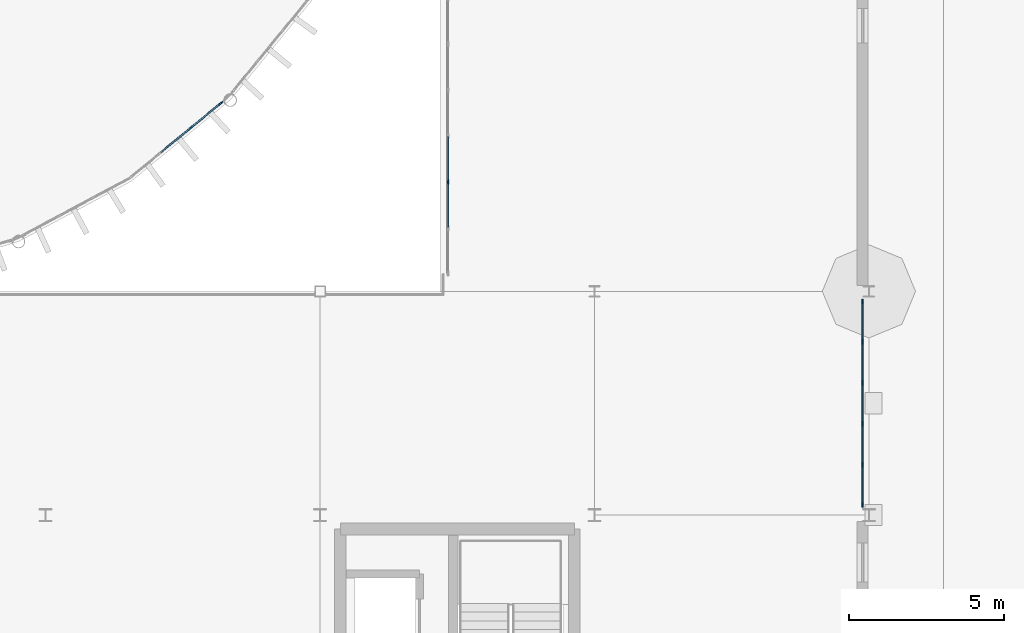
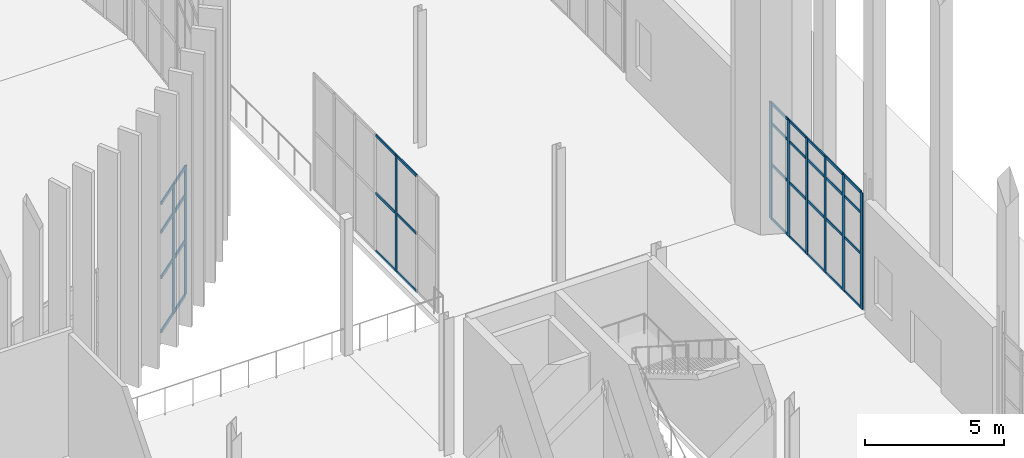
# One storey, part 55 of 139: 43 members, 3 elements without a shape of their own.
"""IFC4 building model written with IfcOpenShell, lengths in metres."""

import ifcopenshell
import ifcopenshell.guid

model = None  # the IFC model being written
_history = None  # IfcOwnerHistory: only IFC2X3 demands one
_inside = {}  # id of a spatial element -> (the spatial element, [elements in it])
_under = {}  # id of a project, library or spatial element -> (it, [spatial elements below it])
_declared = {}  # id of a project -> (the project, [libraries it declares])
_typed = {}  # id of a type object -> (the type object, [elements of that type])
_made_of = {}  # id of a material, layer set ... -> (it, [elements and type objects made of it])


def new_model(schema):
    """Start an empty IFC model of exactly this schema.

    Asked for "IFC4X3", IfcOpenShell would pick the latest addendum, in which some entities
    have other attributes; the version numbers below select the first issue.
    IFC2X3 requires an IfcOwnerHistory on every rooted entity: one is made here for all.
    """
    global model, _history
    if schema == "IFC4X3":
        model = ifcopenshell.file(schema_version=(4, 3, 0, 0))
    else:
        model = ifcopenshell.file(schema=schema)
    _inside.clear()
    _under.clear()
    _declared.clear()
    _typed.clear()
    _made_of.clear()
    _history = None
    if model.schema == "IFC2X3":
        org = make("IfcOrganization", Name="unknown")
        user = make(
            "IfcPersonAndOrganization",
            ThePerson=make("IfcPerson", FamilyName="unknown"),
            TheOrganization=org,
        )
        app = make(
            "IfcApplication",
            ApplicationDeveloper=org,
            Version="unknown",
            ApplicationFullName="unknown",
            ApplicationIdentifier="unknown",
        )
        _history = make(
            "IfcOwnerHistory",
            OwningUser=user,
            OwningApplication=app,
            ChangeAction="ADDED",
            CreationDate=0,
        )
    return model


def make(cls, **values):
    """One entity of the class cls with the attributes given. An attribute that is None is left unset."""
    return model.create_entity(
        cls, **{name: value for name, value in values.items() if value is not None}
    )


def rooted(cls, **values):
    """An entity with a GlobalId (a new one), such as an element, a storey or a relation."""
    return make(cls, GlobalId=ifcopenshell.guid.new(), OwnerHistory=_history, **values)


def si_unit(unit_type, name, prefix=None):
    """IfcSIUnit, for example si_unit("LENGTHUNIT", "METRE", prefix="MILLI")."""
    return make("IfcSIUnit", UnitType=unit_type, Prefix=prefix, Name=name)


def assignment(units):
    """IfcUnitAssignment: the units of a project."""
    return None if units is None else make("IfcUnitAssignment", Units=units)


def point(xyz):
    """IfcCartesianPoint."""
    return None if xyz is None else make("IfcCartesianPoint", Coordinates=xyz)


def direction(xyz):
    """IfcDirection."""
    return None if xyz is None else make("IfcDirection", DirectionRatios=xyz)


def frame(location, z_axis=None, x_axis=None):
    """IfcAxis2Placement3D, a coordinate frame: its origin and axes. An axis left out is left unset."""
    return make(
        "IfcAxis2Placement3D",
        Location=point(location),
        Axis=direction(z_axis),
        RefDirection=direction(x_axis),
    )


def frame_2d(location, x_axis=None):
    """IfcAxis2Placement2D, a coordinate frame in the plane: its origin and x axis."""
    return make(
        "IfcAxis2Placement2D", Location=point(location), RefDirection=direction(x_axis)
    )


def origin():
    """The frame at (0, 0, 0) with its axes left unset."""
    return frame((0.0, 0.0, 0.0))


def origin_2d():
    """The frame at (0, 0) in the plane with its x axis left unset."""
    return frame_2d((0.0, 0.0))


def place(relative_to, where):
    """IfcLocalPlacement: puts the frame where relative to a parent placement (None: the world)."""
    return make(
        "IfcLocalPlacement", PlacementRelTo=relative_to, RelativePlacement=where
    )


def context(
    kind, dimensions, precision=None, world=None, true_north=None, identifier=None
):
    """IfcGeometricRepresentationContext, for example the 3D "Model" context."""
    return make(
        "IfcGeometricRepresentationContext",
        ContextIdentifier=identifier,
        ContextType=kind,
        CoordinateSpaceDimension=dimensions,
        Precision=precision,
        WorldCoordinateSystem=world,
        TrueNorth=true_north,
    )


def subcontext(parent, identifier, kind, view, scale=None):
    """IfcGeometricRepresentationSubContext, for example "Body" below "Model"."""
    return make(
        "IfcGeometricRepresentationSubContext",
        ContextIdentifier=identifier,
        ContextType=kind,
        ParentContext=parent,
        TargetScale=scale,
        TargetView=view,
    )


def project(units=None, contexts=None):
    """IfcProject with its units and contexts."""
    return rooted(
        "IfcProject",
        Name="project",
        RepresentationContexts=contexts,
        UnitsInContext=assignment(units),
    )


def spatial(cls, under=None, at=None, **own):
    """A site, building, storey or space (cls), placed at a placement, below another one or the project."""
    s = rooted(cls, ObjectPlacement=at, **own)
    if under is not None:
        _under.setdefault(under.id(), (under, []))[1].append(s)
    return s


def profile(cls, at=None, kind="AREA", **sizes):
    """A parametric profile (cls). Its sizes go by their IFC names, for example OverallWidth=200.0."""
    return make(cls, ProfileType=kind, Position=at, **sizes)


def rectangle(**sizes):
    """IfcRectangleProfileDef."""
    return profile("IfcRectangleProfileDef", **sizes)


def extrude(swept, where, along, depth):
    """IfcExtrudedAreaSolid: the profile swept, set in the frame where, extruded along a direction by depth."""
    return make(
        "IfcExtrudedAreaSolid",
        SweptArea=swept,
        Position=where,
        ExtrudedDirection=direction(along),
        Depth=depth,
    )


def shape(context_of_items, identifier, shape_type, items):
    """IfcShapeRepresentation: the items that make up one representation, for example the "Body"."""
    return make(
        "IfcShapeRepresentation",
        ContextOfItems=context_of_items,
        RepresentationIdentifier=identifier,
        RepresentationType=shape_type,
        Items=items,
    )


def material(Name=None, Category=None):
    """IfcMaterial."""
    return make("IfcMaterial", Name=Name, Category=Category)


def layer(
    of_material, thickness, ventilated=None, Name=None, Category=None, Priority=None
):
    """IfcMaterialLayer: one layer of a wall or slab, of a material (None: an air gap)."""
    return make(
        "IfcMaterialLayer",
        Material=of_material,
        LayerThickness=thickness,
        IsVentilated=ventilated,
        Name=Name,
        Category=Category,
        Priority=Priority,
    )


def layer_set(layers, Name=None):
    """IfcMaterialLayerSet."""
    return make("IfcMaterialLayerSet", MaterialLayers=layers, LayerSetName=Name)


def material_profile(
    of_material, cross_section, Name=None, Category=None, Priority=None
):
    """IfcMaterialProfile: a cross section and its material."""
    return make(
        "IfcMaterialProfile",
        Name=Name,
        Material=of_material,
        Profile=cross_section,
        Priority=Priority,
        Category=Category,
    )


def profile_set(profiles, Name=None, composite=None):
    """IfcMaterialProfileSet."""
    return make(
        "IfcMaterialProfileSet",
        Name=Name,
        MaterialProfiles=profiles,
        CompositeProfile=composite,
    )


def made_of(thing, what):
    """Note that an element or type object is made of a material, layer set ...; save() writes the relation."""
    if what is not None:
        _made_of.setdefault(what.id(), (what, []))[1].append(thing)
    return thing


def type_object(cls, material=None, **own):
    """A type object (cls), such as IfcWallType, which elements share."""
    return made_of(rooted(cls, **own), material)


def element(
    cls,
    number,
    at=None,
    inside=None,
    cuts=None,
    type_object=None,
    material=None,
    context=None,
    identifier="Body",
    shape_type=None,
    held_by="IfcProductDefinitionShape",
    body=None,
    shapes=None,
    **own,
):
    """One element of the class cls, such as IfcWall. Its Tag is "e" and its number.

    at: its placement. inside: the storey or other place that contains it. cuts: it is an
    opening in that element (IfcRelVoidsElement). A single representation is given by context,
    identifier, shape_type and body (its items); several are given by shapes. held_by: the class
    of the entity that holds the representations. save() writes the other relations.
    """
    e = rooted(cls, Tag="e%d" % number, ObjectPlacement=at, **own)
    if body is not None:
        shapes = [shape(context, identifier, shape_type, body)]
    if shapes is not None:
        e.Representation = make(held_by, Representations=shapes)
    if inside is not None:
        _inside.setdefault(inside.id(), (inside, []))[1].append(e)
    if cuts is not None:
        rooted(
            "IfcRelVoidsElement", RelatingBuildingElement=cuts, RelatedOpeningElement=e
        )
    if type_object is not None:
        _typed.setdefault(type_object.id(), (type_object, []))[1].append(e)
    return made_of(e, material)


def aggregate(whole, parts):
    """IfcRelAggregates: a whole, such as a stair, and the parts it consists of."""
    return rooted("IfcRelAggregates", RelatingObject=whole, RelatedObjects=parts)


def save(model, path):
    """Write the relations noted so far, then the file.

    IfcRelAggregates (storeys below a building ...), IfcRelContainedInSpatialStructure (elements
    in a storey), IfcRelDefinesByType, IfcRelAssociatesMaterial and IfcRelDeclares: one each for
    every whole, place, type object, material and project.
    """
    for whole, parts in _under.values():
        aggregate(whole, parts)
    for where, things in _inside.values():
        rooted(
            "IfcRelContainedInSpatialStructure",
            RelatedElements=things,
            RelatingStructure=where,
        )
    for kind, things in _typed.values():
        rooted("IfcRelDefinesByType", RelatedObjects=things, RelatingType=kind)
    for what, things in _made_of.values():
        rooted("IfcRelAssociatesMaterial", RelatedObjects=things, RelatingMaterial=what)
    for by, libraries in _declared.values():
        rooted("IfcRelDeclares", RelatingContext=by, RelatedDefinitions=libraries)
    model.write(path)


model = new_model("IFC4")

# Units and contexts
model_context = context("Model", 3, precision=1e-05, world=origin(), true_north=direction((0.0, 1.0)))
body_context = subcontext(model_context, "Body", "Model", "MODEL_VIEW")
ifc_project = project(units=[si_unit("LENGTHUNIT", "METRE"), si_unit("AREAUNIT", "SQUARE_METRE"), si_unit("VOLUMEUNIT", "CUBIC_METRE"), si_unit("PLANEANGLEUNIT", "RADIAN"), si_unit("MASSUNIT", "GRAM", prefix="KILO")], contexts=[model_context])

# Site, building, storey
site_placement = place(None, origin())
site = spatial("IfcSite", under=ifc_project, at=site_placement, CompositionType="ELEMENT")
building_placement = place(site_placement, origin())
building = spatial("IfcBuilding", under=site, at=building_placement, Name="Yeouljin Market Hall", CompositionType="ELEMENT")
storey_placement = place(building_placement, origin())
storey = spatial("IfcBuildingStorey", under=building, at=storey_placement, Name="L00", CompositionType="ELEMENT", Elevation=0.0)

# Curtain wall, members
ifc_material_1 = material(Name="Thermally Broken Aluminium", Category="aluminium")
ifc_layer_1 = layer(ifc_material_1, 0.14990234375)
ifc_layer_set_1 = layer_set([ifc_layer_1], Name="Thermally Broken Aluminium")
curtain_wall_type_1 = type_object("IfcCurtainWallType", Name="CW_WingStorefront_System", PredefinedType="USERDEFINED", material=ifc_layer_set_1)
curtain_wall_1_placement = place(storey_placement, origin())
curtain_wall_1 = element("IfcCurtainWall", 1, at=curtain_wall_1_placement, inside=storey, type_object=curtain_wall_type_1, Name="Curtain wall CW-V3E-L00-6", ObjectType="CURTAIN WALL", PredefinedType="USERDEFINED")
ifc_material_2 = material(Name="Thermally Broken Aluminium", Category="aluminium")
ifc_material_profile_1 = material_profile(ifc_material_2, rectangle(XDim=0.048095703125, YDim=0.14990234375, at=origin_2d()), Name="CW-MULL-48x150")
ifc_profile_set_1 = profile_set([ifc_material_profile_1], Name="Thermally Broken Aluminium")
member_type_1 = type_object("IfcMemberType", Name="CWMullion_48x150", PredefinedType="MULLION", material=ifc_profile_set_1)
member_1_placement = place(storey_placement, frame((176.199951171875, 35.676025390625, 0.0), z_axis=(0.0, 0.0, 1.0), x_axis=(1.0, 0.0, 0.0)))
member_1 = element("IfcMember", 2, at=member_1_placement, type_object=member_type_1, Name="CW-04 mullion 1", PredefinedType="MULLION", context=body_context, shape_type="SweptSolid", body=[
    extrude(rectangle(XDim=0.048095703125, YDim=0.14990234375, at=origin_2d()), origin(), (0.0, 0.0, 1.0), 5.1201171875),
])
member_2_placement = place(storey_placement, frame((176.199951171875, 34.3798828125, 0.0), z_axis=(0.0, 0.0, 1.0), x_axis=(1.0, 0.0, 0.0)))
member_2 = element("IfcMember", 3, at=member_2_placement, type_object=member_type_1, Name="CW-04 mullion 2", PredefinedType="MULLION", context=body_context, shape_type="SweptSolid", body=[
    extrude(rectangle(XDim=0.048095703125, YDim=0.14990234375, at=origin_2d()), origin(), (0.0, 0.0, 1.0), 5.1201171875),
])
member_3_placement = place(storey_placement, frame((176.199951171875, 33.06005859375, 0.0), z_axis=(0.0, 0.0, 1.0), x_axis=(1.0, 0.0, 0.0)))
member_3 = element("IfcMember", 4, at=member_3_placement, type_object=member_type_1, Name="CW-04 mullion 3", PredefinedType="MULLION", context=body_context, shape_type="SweptSolid", body=[
    extrude(rectangle(XDim=0.048095703125, YDim=0.14990234375, at=origin_2d()), origin(), (0.0, 0.0, 1.0), 5.1201171875),
])
member_4_placement = place(storey_placement, frame((176.199951171875, 31.739990234375, 0.0), z_axis=(0.0, 0.0, 1.0), x_axis=(1.0, 0.0, 0.0)))
member_4 = element("IfcMember", 5, at=member_4_placement, type_object=member_type_1, Name="CW-04 mullion 4", PredefinedType="MULLION", context=body_context, shape_type="SweptSolid", body=[
    extrude(rectangle(XDim=0.048095703125, YDim=0.14990234375, at=origin_2d()), origin(), (0.0, 0.0, 1.0), 5.1201171875),
])
member_5_placement = place(storey_placement, frame((176.199951171875, 30.419921875, 0.0), z_axis=(0.0, 0.0, 1.0), x_axis=(1.0, 0.0, 0.0)))
member_5 = element("IfcMember", 6, at=member_5_placement, type_object=member_type_1, Name="CW-04 mullion 5", PredefinedType="MULLION", context=body_context, shape_type="SweptSolid", body=[
    extrude(rectangle(XDim=0.048095703125, YDim=0.14990234375, at=origin_2d()), origin(), (0.0, 0.0, 1.0), 5.1201171875),
])
member_6_placement = place(storey_placement, frame((176.199951171875, 29.1240234375, 0.0), z_axis=(0.0, 0.0, 1.0), x_axis=(1.0, 0.0, 0.0)))
member_6 = element("IfcMember", 7, at=member_6_placement, type_object=member_type_1, Name="CW-04 mullion 6", PredefinedType="MULLION", context=body_context, shape_type="SweptSolid", body=[
    extrude(rectangle(XDim=0.048095703125, YDim=0.14990234375, at=origin_2d()), origin(), (0.0, 0.0, 1.0), 5.1201171875),
])

# Curtain wall, member
curtain_wall_2_placement = place(storey_placement, origin())
curtain_wall_2 = element("IfcCurtainWall", 8, at=curtain_wall_2_placement, inside=storey, type_object=curtain_wall_type_1, Name="Curtain wall CW-CRT-L00-13", ObjectType="CURTAIN WALL", PredefinedType="USERDEFINED")
member_7_placement = place(storey_placement, frame((162.85009765625, 39.5166015625, 0.0), z_axis=(0.0, 0.0, 1.0), x_axis=(1.0, 0.0, 0.0)))
member_7 = element("IfcMember", 9, at=member_7_placement, type_object=member_type_1, Name="CW-04 mullion 5", PredefinedType="MULLION", context=body_context, shape_type="SweptSolid", body=[
    extrude(rectangle(XDim=0.048095703125, YDim=0.14990234375, at=origin_2d()), origin(), (0.0, 0.0, 1.0), 5.1201171875),
])

# Curtain wall, members
ifc_material_3 = material(Name="Thermally Broken Aluminium", Category="aluminium")
ifc_layer_2 = layer(ifc_material_3, 0.179931640625)
ifc_layer_set_2 = layer_set([ifc_layer_2], Name="Thermally Broken Aluminium")
curtain_wall_type_2 = type_object("IfcCurtainWallType", Name="CW_ApseCurved_System", PredefinedType="USERDEFINED", material=ifc_layer_set_2)
curtain_wall_3_placement = place(storey_placement, origin())
curtain_wall_3 = element("IfcCurtainWall", 10, at=curtain_wall_3_placement, inside=storey, type_object=curtain_wall_type_2, Name="Curtain wall CW-AP-EL00-04", ObjectType="CURTAIN WALL", PredefinedType="USERDEFINED")
ifc_material_4 = material(Name="Thermally Broken Aluminium", Category="aluminium")
ifc_material_profile_2 = material_profile(ifc_material_4, rectangle(XDim=0.048095703125, YDim=0.179931640625, at=origin_2d()), Name="CW-MULL-48x180")
ifc_profile_set_2 = profile_set([ifc_material_profile_2], Name="Thermally Broken Aluminium")
member_type_2 = type_object("IfcMemberType", Name="CWMullion_48x180", PredefinedType="MULLION", material=ifc_profile_set_2)
member_8_placement = place(storey_placement, frame((155.529541015625, 42.042724609375, 0.0), z_axis=(0.0, 0.0, 1.0), x_axis=(0.634384432096, -0.773017717982, 0.0)))
member_8 = element("IfcMember", 11, at=member_8_placement, type_object=member_type_2, Name="CW-03 mullion 1", PredefinedType="MULLION", context=body_context, shape_type="SweptSolid", body=[
    extrude(rectangle(XDim=0.048095703125, YDim=0.179931640625, at=origin_2d()), origin(), (0.0, 0.0, 1.0), 5.679931640625),
])
member_9_placement = place(storey_placement, frame((154.57568359375, 41.260009765625, 0.0), z_axis=(0.0, 0.0, 1.0), x_axis=(0.634384432096, -0.773017717982, 0.0)))
member_9 = element("IfcMember", 12, at=member_9_placement, type_object=member_type_2, Name="CW-03 mullion 2", PredefinedType="MULLION", context=body_context, shape_type="SweptSolid", body=[
    extrude(rectangle(XDim=0.048095703125, YDim=0.179931640625, at=origin_2d()), origin(), (0.0, 0.0, 1.0), 5.679931640625),
])

# Member
ifc_material_5 = material(Name="Thermally Broken Aluminium", Category="aluminium")
ifc_material_profile_3 = material_profile(ifc_material_5, rectangle(XDim=0.048095703125, YDim=0.1201171875, at=origin_2d()), Name="CW-TRAN-48x120")
ifc_profile_set_3 = profile_set([ifc_material_profile_3], Name="Thermally Broken Aluminium")
member_type_3 = type_object("IfcMemberType", Name="CWTransom_48x120", PredefinedType="USERDEFINED", material=ifc_profile_set_3)
member_10_placement = place(storey_placement, frame((176.199951171875, 35.652099609375, 0.02392578125), z_axis=(0.0, -1.0, 0.0), x_axis=(1.0, 0.0, 0.0)))
member_10 = element("IfcMember", 13, at=member_10_placement, type_object=member_type_3, Name="CW-04 transom 1.1", ObjectType="TRANSOM", PredefinedType="USERDEFINED", context=body_context, shape_type="SweptSolid", body=[
    extrude(rectangle(XDim=0.048095703125, YDim=0.1201171875, at=origin_2d()), origin(), (0.0, 0.0, 1.0), 1.248046875),
])

member_11_placement = place(storey_placement, frame((176.199951171875, 35.652099609375, 2.39990234375), z_axis=(0.0, -1.0, 0.0), x_axis=(1.0, 0.0, 0.0)))
member_11 = element("IfcMember", 14, at=member_11_placement, type_object=member_type_3, Name="CW-04 transom 1.2", ObjectType="TRANSOM", PredefinedType="USERDEFINED", context=body_context, shape_type="SweptSolid", body=[
    extrude(rectangle(XDim=0.048095703125, YDim=0.1201171875, at=origin_2d()), origin(), (0.0, 0.0, 1.0), 1.248046875),
])

member_12_placement = place(storey_placement, frame((176.199951171875, 35.652099609375, 4.199951171875), z_axis=(0.0, -1.0, 0.0), x_axis=(1.0, 0.0, 0.0)))
member_12 = element("IfcMember", 15, at=member_12_placement, type_object=member_type_3, Name="CW-04 transom 1.3", ObjectType="TRANSOM", PredefinedType="USERDEFINED", context=body_context, shape_type="SweptSolid", body=[
    extrude(rectangle(XDim=0.048095703125, YDim=0.1201171875, at=origin_2d()), origin(), (0.0, 0.0, 1.0), 1.248046875),
])

member_13_placement = place(storey_placement, frame((176.199951171875, 35.652099609375, 5.095947265625), z_axis=(0.0, -1.0, 0.0), x_axis=(1.0, 0.0, 0.0)))
member_13 = element("IfcMember", 16, at=member_13_placement, type_object=member_type_3, Name="CW-04 transom 1.4", ObjectType="TRANSOM", PredefinedType="USERDEFINED", context=body_context, shape_type="SweptSolid", body=[
    extrude(rectangle(XDim=0.048095703125, YDim=0.1201171875, at=origin_2d()), origin(), (0.0, 0.0, 1.0), 1.248046875),
])

member_14_placement = place(storey_placement, frame((176.199951171875, 34.35595703125, 0.02392578125), z_axis=(0.0, -1.0, 0.0), x_axis=(1.0, 0.0, 0.0)))
member_14 = element("IfcMember", 17, at=member_14_placement, type_object=member_type_3, Name="CW-04 transom 2.1", ObjectType="TRANSOM", PredefinedType="USERDEFINED", context=body_context, shape_type="SweptSolid", body=[
    extrude(rectangle(XDim=0.048095703125, YDim=0.1201171875, at=origin_2d()), origin(), (0.0, 0.0, 1.0), 1.27197265625),
])

member_15_placement = place(storey_placement, frame((176.199951171875, 34.35595703125, 2.39990234375), z_axis=(0.0, -1.0, 0.0), x_axis=(1.0, 0.0, 0.0)))
member_15 = element("IfcMember", 18, at=member_15_placement, type_object=member_type_3, Name="CW-04 transom 2.2", ObjectType="TRANSOM", PredefinedType="USERDEFINED", context=body_context, shape_type="SweptSolid", body=[
    extrude(rectangle(XDim=0.048095703125, YDim=0.1201171875, at=origin_2d()), origin(), (0.0, 0.0, 1.0), 1.27197265625),
])

member_16_placement = place(storey_placement, frame((176.199951171875, 34.35595703125, 4.199951171875), z_axis=(0.0, -1.0, 0.0), x_axis=(1.0, 0.0, 0.0)))
member_16 = element("IfcMember", 19, at=member_16_placement, type_object=member_type_3, Name="CW-04 transom 2.3", ObjectType="TRANSOM", PredefinedType="USERDEFINED", context=body_context, shape_type="SweptSolid", body=[
    extrude(rectangle(XDim=0.048095703125, YDim=0.1201171875, at=origin_2d()), origin(), (0.0, 0.0, 1.0), 1.27197265625),
])

member_17_placement = place(storey_placement, frame((176.199951171875, 34.35595703125, 5.095947265625), z_axis=(0.0, -1.0, 0.0), x_axis=(1.0, 0.0, 0.0)))
member_17 = element("IfcMember", 20, at=member_17_placement, type_object=member_type_3, Name="CW-04 transom 2.4", ObjectType="TRANSOM", PredefinedType="USERDEFINED", context=body_context, shape_type="SweptSolid", body=[
    extrude(rectangle(XDim=0.048095703125, YDim=0.1201171875, at=origin_2d()), origin(), (0.0, 0.0, 1.0), 1.27197265625),
])

member_18_placement = place(storey_placement, frame((176.199951171875, 33.035888671875, 0.02392578125), z_axis=(0.0, -1.0, 0.0), x_axis=(1.0, 0.0, 0.0)))
member_18 = element("IfcMember", 21, at=member_18_placement, type_object=member_type_3, Name="CW-04 transom 3.1", ObjectType="TRANSOM", PredefinedType="USERDEFINED", context=body_context, shape_type="SweptSolid", body=[
    extrude(rectangle(XDim=0.048095703125, YDim=0.1201171875, at=origin_2d()), origin(), (0.0, 0.0, 1.0), 1.27197265625),
])

member_19_placement = place(storey_placement, frame((176.199951171875, 33.035888671875, 2.39990234375), z_axis=(0.0, -1.0, 0.0), x_axis=(1.0, 0.0, 0.0)))
member_19 = element("IfcMember", 22, at=member_19_placement, type_object=member_type_3, Name="CW-04 transom 3.2", ObjectType="TRANSOM", PredefinedType="USERDEFINED", context=body_context, shape_type="SweptSolid", body=[
    extrude(rectangle(XDim=0.048095703125, YDim=0.1201171875, at=origin_2d()), origin(), (0.0, 0.0, 1.0), 1.27197265625),
])

member_20_placement = place(storey_placement, frame((176.199951171875, 33.035888671875, 4.199951171875), z_axis=(0.0, -1.0, 0.0), x_axis=(1.0, 0.0, 0.0)))
member_20 = element("IfcMember", 23, at=member_20_placement, type_object=member_type_3, Name="CW-04 transom 3.3", ObjectType="TRANSOM", PredefinedType="USERDEFINED", context=body_context, shape_type="SweptSolid", body=[
    extrude(rectangle(XDim=0.048095703125, YDim=0.1201171875, at=origin_2d()), origin(), (0.0, 0.0, 1.0), 1.27197265625),
])

member_21_placement = place(storey_placement, frame((176.199951171875, 33.035888671875, 5.095947265625), z_axis=(0.0, -1.0, 0.0), x_axis=(1.0, 0.0, 0.0)))
member_21 = element("IfcMember", 24, at=member_21_placement, type_object=member_type_3, Name="CW-04 transom 3.4", ObjectType="TRANSOM", PredefinedType="USERDEFINED", context=body_context, shape_type="SweptSolid", body=[
    extrude(rectangle(XDim=0.048095703125, YDim=0.1201171875, at=origin_2d()), origin(), (0.0, 0.0, 1.0), 1.27197265625),
])

member_22_placement = place(storey_placement, frame((176.199951171875, 31.716064453125, 0.02392578125), z_axis=(0.0, -1.0, 0.0), x_axis=(1.0, 0.0, 0.0)))
member_22 = element("IfcMember", 25, at=member_22_placement, type_object=member_type_3, Name="CW-04 transom 4.1", ObjectType="TRANSOM", PredefinedType="USERDEFINED", context=body_context, shape_type="SweptSolid", body=[
    extrude(rectangle(XDim=0.048095703125, YDim=0.1201171875, at=origin_2d()), origin(), (0.0, 0.0, 1.0), 1.27197265625),
])

member_23_placement = place(storey_placement, frame((176.199951171875, 31.716064453125, 2.39990234375), z_axis=(0.0, -1.0, 0.0), x_axis=(1.0, 0.0, 0.0)))
member_23 = element("IfcMember", 26, at=member_23_placement, type_object=member_type_3, Name="CW-04 transom 4.2", ObjectType="TRANSOM", PredefinedType="USERDEFINED", context=body_context, shape_type="SweptSolid", body=[
    extrude(rectangle(XDim=0.048095703125, YDim=0.1201171875, at=origin_2d()), origin(), (0.0, 0.0, 1.0), 1.27197265625),
])

member_24_placement = place(storey_placement, frame((176.199951171875, 31.716064453125, 4.199951171875), z_axis=(0.0, -1.0, 0.0), x_axis=(1.0, 0.0, 0.0)))
member_24 = element("IfcMember", 27, at=member_24_placement, type_object=member_type_3, Name="CW-04 transom 4.3", ObjectType="TRANSOM", PredefinedType="USERDEFINED", context=body_context, shape_type="SweptSolid", body=[
    extrude(rectangle(XDim=0.048095703125, YDim=0.1201171875, at=origin_2d()), origin(), (0.0, 0.0, 1.0), 1.27197265625),
])

member_25_placement = place(storey_placement, frame((176.199951171875, 31.716064453125, 5.095947265625), z_axis=(0.0, -1.0, 0.0), x_axis=(1.0, 0.0, 0.0)))
member_25 = element("IfcMember", 28, at=member_25_placement, type_object=member_type_3, Name="CW-04 transom 4.4", ObjectType="TRANSOM", PredefinedType="USERDEFINED", context=body_context, shape_type="SweptSolid", body=[
    extrude(rectangle(XDim=0.048095703125, YDim=0.1201171875, at=origin_2d()), origin(), (0.0, 0.0, 1.0), 1.27197265625),
])

member_26_placement = place(storey_placement, frame((176.199951171875, 30.39599609375, 0.02392578125), z_axis=(0.0, -1.0, 0.0), x_axis=(1.0, 0.0, 0.0)))
member_26 = element("IfcMember", 29, at=member_26_placement, type_object=member_type_3, Name="CW-04 transom 5.1", ObjectType="TRANSOM", PredefinedType="USERDEFINED", context=body_context, shape_type="SweptSolid", body=[
    extrude(rectangle(XDim=0.048095703125, YDim=0.1201171875, at=origin_2d()), origin(), (0.0, 0.0, 1.0), 1.248046875),
])

member_27_placement = place(storey_placement, frame((176.199951171875, 30.39599609375, 2.39990234375), z_axis=(0.0, -1.0, 0.0), x_axis=(1.0, 0.0, 0.0)))
member_27 = element("IfcMember", 30, at=member_27_placement, type_object=member_type_3, Name="CW-04 transom 5.2", ObjectType="TRANSOM", PredefinedType="USERDEFINED", context=body_context, shape_type="SweptSolid", body=[
    extrude(rectangle(XDim=0.048095703125, YDim=0.1201171875, at=origin_2d()), origin(), (0.0, 0.0, 1.0), 1.248046875),
])

member_28_placement = place(storey_placement, frame((176.199951171875, 30.39599609375, 4.199951171875), z_axis=(0.0, -1.0, 0.0), x_axis=(1.0, 0.0, 0.0)))
member_28 = element("IfcMember", 31, at=member_28_placement, type_object=member_type_3, Name="CW-04 transom 5.3", ObjectType="TRANSOM", PredefinedType="USERDEFINED", context=body_context, shape_type="SweptSolid", body=[
    extrude(rectangle(XDim=0.048095703125, YDim=0.1201171875, at=origin_2d()), origin(), (0.0, 0.0, 1.0), 1.248046875),
])

member_29_placement = place(storey_placement, frame((176.199951171875, 30.39599609375, 5.095947265625), z_axis=(0.0, -1.0, 0.0), x_axis=(1.0, 0.0, 0.0)))
member_29 = element("IfcMember", 32, at=member_29_placement, type_object=member_type_3, Name="CW-04 transom 5.4", ObjectType="TRANSOM", PredefinedType="USERDEFINED", context=body_context, shape_type="SweptSolid", body=[
    extrude(rectangle(XDim=0.048095703125, YDim=0.1201171875, at=origin_2d()), origin(), (0.0, 0.0, 1.0), 1.248046875),
])

aggregate(curtain_wall_1, [member_1, member_2, member_3, member_4, member_5, member_6, member_10, member_11, member_12, member_13, member_14, member_15, member_16, member_17, member_18, member_19, member_20, member_21, member_22, member_23, member_24, member_25, member_26, member_27, member_28, member_29])

member_30_placement = place(storey_placement, frame((162.85009765625, 40.97607421875, 0.02392578125), z_axis=(0.0, -1.0, 0.0), x_axis=(1.0, 0.0, 0.0)))
member_30 = element("IfcMember", 33, at=member_30_placement, type_object=member_type_3, Name="CW-04 transom 4.1", ObjectType="TRANSOM", PredefinedType="USERDEFINED", context=body_context, shape_type="SweptSolid", body=[
    extrude(rectangle(XDim=0.048095703125, YDim=0.1201171875, at=origin_2d()), origin(), (0.0, 0.0, 1.0), 1.435302734375),
])

member_31_placement = place(storey_placement, frame((162.85009765625, 40.97607421875, 2.56005859375), z_axis=(0.0, -1.0, 0.0), x_axis=(1.0, 0.0, 0.0)))
member_31 = element("IfcMember", 34, at=member_31_placement, type_object=member_type_3, Name="CW-04 transom 4.2", ObjectType="TRANSOM", PredefinedType="USERDEFINED", context=body_context, shape_type="SweptSolid", body=[
    extrude(rectangle(XDim=0.048095703125, YDim=0.1201171875, at=origin_2d()), origin(), (0.0, 0.0, 1.0), 1.435302734375),
])

member_32_placement = place(storey_placement, frame((162.85009765625, 40.97607421875, 5.095947265625), z_axis=(0.0, -1.0, 0.0), x_axis=(1.0, 0.0, 0.0)))
member_32 = element("IfcMember", 35, at=member_32_placement, type_object=member_type_3, Name="CW-04 transom 4.3", ObjectType="TRANSOM", PredefinedType="USERDEFINED", context=body_context, shape_type="SweptSolid", body=[
    extrude(rectangle(XDim=0.048095703125, YDim=0.1201171875, at=origin_2d()), origin(), (0.0, 0.0, 1.0), 1.435302734375),
])

member_33_placement = place(storey_placement, frame((162.85009765625, 39.49267578125, 0.02392578125), z_axis=(0.0, -1.0, 0.0), x_axis=(1.0, 0.0, 0.0)))
member_33 = element("IfcMember", 36, at=member_33_placement, type_object=member_type_3, Name="CW-04 transom 5.1", ObjectType="TRANSOM", PredefinedType="USERDEFINED", context=body_context, shape_type="SweptSolid", body=[
    extrude(rectangle(XDim=0.048095703125, YDim=0.1201171875, at=origin_2d()), origin(), (0.0, 0.0, 1.0), 1.435302734375),
])

member_34_placement = place(storey_placement, frame((162.85009765625, 39.49267578125, 2.56005859375), z_axis=(0.0, -1.0, 0.0), x_axis=(1.0, 0.0, 0.0)))
member_34 = element("IfcMember", 37, at=member_34_placement, type_object=member_type_3, Name="CW-04 transom 5.2", ObjectType="TRANSOM", PredefinedType="USERDEFINED", context=body_context, shape_type="SweptSolid", body=[
    extrude(rectangle(XDim=0.048095703125, YDim=0.1201171875, at=origin_2d()), origin(), (0.0, 0.0, 1.0), 1.435302734375),
])

member_35_placement = place(storey_placement, frame((162.85009765625, 39.49267578125, 5.095947265625), z_axis=(0.0, -1.0, 0.0), x_axis=(1.0, 0.0, 0.0)))
member_35 = element("IfcMember", 38, at=member_35_placement, type_object=member_type_3, Name="CW-04 transom 5.3", ObjectType="TRANSOM", PredefinedType="USERDEFINED", context=body_context, shape_type="SweptSolid", body=[
    extrude(rectangle(XDim=0.048095703125, YDim=0.1201171875, at=origin_2d()), origin(), (0.0, 0.0, 1.0), 1.435302734375),
])

aggregate(curtain_wall_2, [member_7, member_30, member_31, member_32, member_33, member_34, member_35])

ifc_material_6 = material(Name="Thermally Broken Aluminium", Category="aluminium")
ifc_material_profile_4 = material_profile(ifc_material_6, rectangle(XDim=0.048095703125, YDim=0.14990234375, at=origin_2d()), Name="CW-TRAN-48x150")
ifc_profile_set_4 = profile_set([ifc_material_profile_4], Name="Thermally Broken Aluminium")
member_type_4 = type_object("IfcMemberType", Name="CWTransom_48x150", PredefinedType="USERDEFINED", material=ifc_profile_set_4)
member_36_placement = place(storey_placement, frame((155.510986328125, 42.027587890625, 0.02392578125), z_axis=(-0.773075959133, -0.634313456748, 0.0), x_axis=(0.634313456748, -0.773075959133, 0.0)))
member_36 = element("IfcMember", 39, at=member_36_placement, type_object=member_type_4, Name="CW-03 transom 1.1", ObjectType="TRANSOM", PredefinedType="USERDEFINED", context=body_context, shape_type="SweptSolid", body=[
    extrude(rectangle(XDim=0.048095703125, YDim=0.14990234375, at=origin_2d()), origin(), (0.0, 0.0, 1.0), 1.185791015625),
])

member_37_placement = place(storey_placement, frame((155.510986328125, 42.027587890625, 2.39990234375), z_axis=(-0.773075959133, -0.634313456748, 0.0), x_axis=(0.634313456748, -0.773075959133, 0.0)))
member_37 = element("IfcMember", 40, at=member_37_placement, type_object=member_type_4, Name="CW-03 transom 1.2", ObjectType="TRANSOM", PredefinedType="USERDEFINED", context=body_context, shape_type="SweptSolid", body=[
    extrude(rectangle(XDim=0.048095703125, YDim=0.14990234375, at=origin_2d()), origin(), (0.0, 0.0, 1.0), 1.185791015625),
])

member_38_placement = place(storey_placement, frame((155.510986328125, 42.027587890625, 4.39990234375), z_axis=(-0.773075959133, -0.634313456748, 0.0), x_axis=(0.634313456748, -0.773075959133, 0.0)))
member_38 = element("IfcMember", 41, at=member_38_placement, type_object=member_type_4, Name="CW-03 transom 1.3", ObjectType="TRANSOM", PredefinedType="USERDEFINED", context=body_context, shape_type="SweptSolid", body=[
    extrude(rectangle(XDim=0.048095703125, YDim=0.14990234375, at=origin_2d()), origin(), (0.0, 0.0, 1.0), 1.185791015625),
])

member_39_placement = place(storey_placement, frame((155.510986328125, 42.027587890625, 5.656005859375), z_axis=(-0.773075959133, -0.634313456748, 0.0), x_axis=(0.634313456748, -0.773075959133, 0.0)))
member_39 = element("IfcMember", 42, at=member_39_placement, type_object=member_type_4, Name="CW-03 transom 1.4", ObjectType="TRANSOM", PredefinedType="USERDEFINED", context=body_context, shape_type="SweptSolid", body=[
    extrude(rectangle(XDim=0.048095703125, YDim=0.14990234375, at=origin_2d()), origin(), (0.0, 0.0, 1.0), 1.185791015625),
])

member_40_placement = place(storey_placement, frame((154.55712890625, 41.244873046875, 0.02392578125), z_axis=(-0.773030225846, -0.634369190557, 0.0), x_axis=(0.634369190557, -0.773030225846, 0.0)))
member_40 = element("IfcMember", 43, at=member_40_placement, type_object=member_type_4, Name="CW-03 transom 2.1", ObjectType="TRANSOM", PredefinedType="USERDEFINED", context=body_context, shape_type="SweptSolid", body=[
    extrude(rectangle(XDim=0.048095703125, YDim=0.14990234375, at=origin_2d()), origin(), (0.0, 0.0, 1.0), 1.209716796875),
])

member_41_placement = place(storey_placement, frame((154.55712890625, 41.244873046875, 2.39990234375), z_axis=(-0.773030225846, -0.634369190557, 0.0), x_axis=(0.634369190557, -0.773030225846, 0.0)))
member_41 = element("IfcMember", 44, at=member_41_placement, type_object=member_type_4, Name="CW-03 transom 2.2", ObjectType="TRANSOM", PredefinedType="USERDEFINED", context=body_context, shape_type="SweptSolid", body=[
    extrude(rectangle(XDim=0.048095703125, YDim=0.14990234375, at=origin_2d()), origin(), (0.0, 0.0, 1.0), 1.209716796875),
])

member_42_placement = place(storey_placement, frame((154.55712890625, 41.244873046875, 4.39990234375), z_axis=(-0.773030225846, -0.634369190557, 0.0), x_axis=(0.634369190557, -0.773030225846, 0.0)))
member_42 = element("IfcMember", 45, at=member_42_placement, type_object=member_type_4, Name="CW-03 transom 2.3", ObjectType="TRANSOM", PredefinedType="USERDEFINED", context=body_context, shape_type="SweptSolid", body=[
    extrude(rectangle(XDim=0.048095703125, YDim=0.14990234375, at=origin_2d()), origin(), (0.0, 0.0, 1.0), 1.209716796875),
])

member_43_placement = place(storey_placement, frame((154.55712890625, 41.244873046875, 5.656005859375), z_axis=(-0.773030225846, -0.634369190557, 0.0), x_axis=(0.634369190557, -0.773030225846, 0.0)))
member_43 = element("IfcMember", 46, at=member_43_placement, type_object=member_type_4, Name="CW-03 transom 2.4", ObjectType="TRANSOM", PredefinedType="USERDEFINED", context=body_context, shape_type="SweptSolid", body=[
    extrude(rectangle(XDim=0.048095703125, YDim=0.14990234375, at=origin_2d()), origin(), (0.0, 0.0, 1.0), 1.209716796875),
])

aggregate(curtain_wall_3, [member_8, member_9, member_36, member_37, member_38, member_39, member_40, member_41, member_42, member_43])

save(model, "model.ifc")
